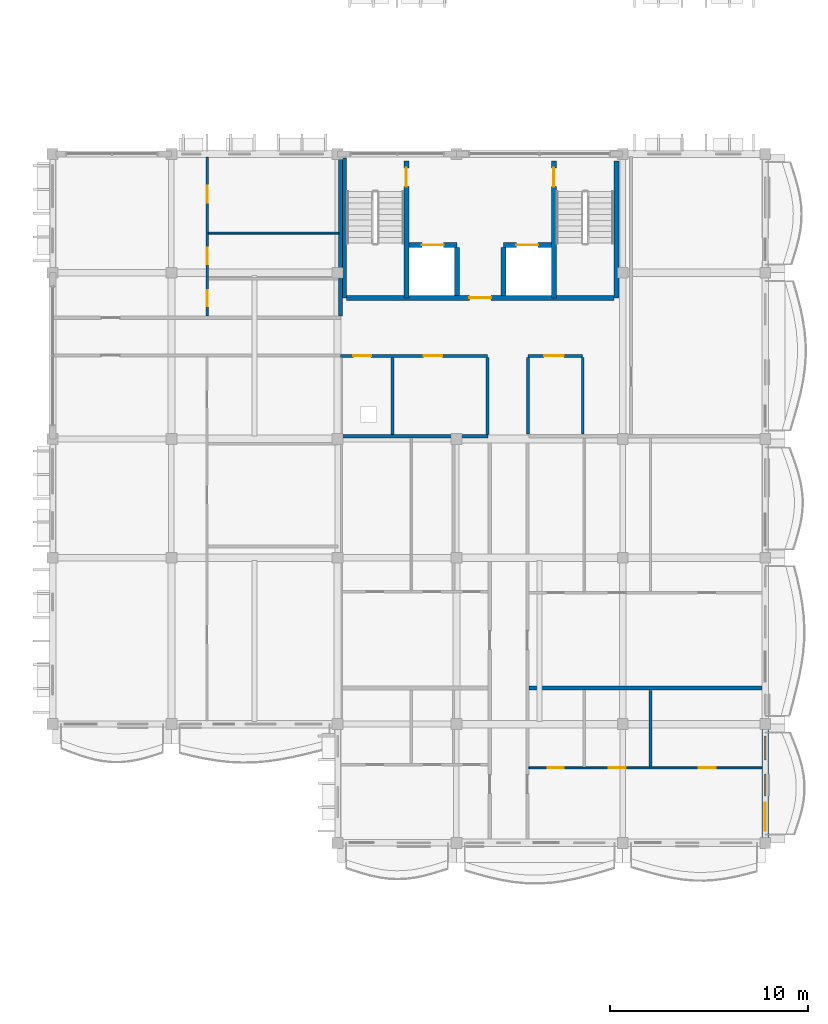
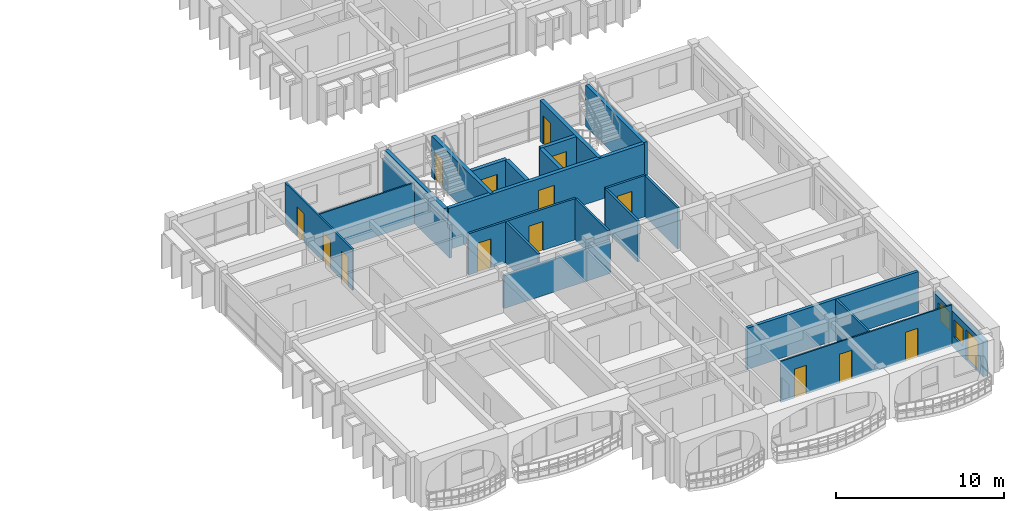
# One storey, part 43 of 79: 23 walls, 15 doors, 2 windows, 17 openings.
"""IFC4 building model written with IfcOpenShell, lengths in metres."""

from ifc_helpers import new_model, si_unit, direction, frame, frame_2d, origin, place, context, subcontext, project, spatial, rectangle, extrude, material, layer, layer_set, type_object, element, fill, save


model = new_model("IFC4")

# Units and contexts
model_context = context("Model", 3, precision=1e-05, world=origin(), true_north=direction((0.0, 1.0)))
body_context = subcontext(model_context, "Body", "Model", "MODEL_VIEW")
ifc_project = project(units=[si_unit("LENGTHUNIT", "METRE"), si_unit("AREAUNIT", "SQUARE_METRE"), si_unit("VOLUMEUNIT", "CUBIC_METRE"), si_unit("PLANEANGLEUNIT", "RADIAN"), si_unit("MASSUNIT", "GRAM", prefix="KILO"), si_unit("THERMODYNAMICTEMPERATUREUNIT", "KELVIN")], contexts=[model_context])

# Site, building, storey
site_placement = place(None, origin())
site = spatial("IfcSite", under=ifc_project, at=site_placement, CompositionType="ELEMENT")
building_placement = place(site_placement, origin())
building = spatial("IfcBuilding", under=site, at=building_placement, Name="Thalorik Housing Commons", CompositionType="ELEMENT")
storey_placement = place(building_placement, frame((0.0, 0.0, 11.39990234375)))
storey = spatial("IfcBuildingStorey", under=building, at=storey_placement, Name="L03", CompositionType="ELEMENT", Elevation=11.39990234375)

# Wall, opening, door
ifc_material_1 = material(Name="Concrete C40/50", Category="concrete")
ifc_layer_1 = layer(ifc_material_1, 0.25, Name="Concrete C40/50", Category="concrete")
ifc_layer_set_1 = layer_set([ifc_layer_1], Name="Concrete C40/50")
wall_type_1 = type_object("IfcWallType", Name="ARC-WAL-CORE-250", PredefinedType="SHEAR", material=ifc_layer_set_1)
wall_1_placement = place(storey_placement, frame((155.875, 71.64990234375, 0.0), z_axis=(0.0, 0.0, 1.0), x_axis=(0.0, -1.0, 0.0)))
wall_1 = element("IfcWall", 1, at=wall_1_placement, inside=storey, type_object=wall_type_1, Name="L03 Core D Stair 1 Shear Wall", PredefinedType="SHEAR", context=body_context, shape_type="SweptSolid", body=[
    extrude(rectangle(XDim=6.9248046875, YDim=0.25, at=frame_2d((3.46240234375, 0.0))), origin(), (0.0, 0.0, 1.0), 3.0),
])
opening_1_placement = place(wall_1_placement, frame((0.35009765625, 0.0, 0.0)))
opening_1 = element("IfcOpeningElement", 2, at=opening_1_placement, cuts=wall_1, Name="Opening ID-0377", PredefinedType="OPENING", context=body_context, shape_type="SweptSolid", body=[
    extrude(rectangle(XDim=0.949951171875, YDim=2.10009765625, at=frame_2d((0.47509765625, 1.050048828125))), frame((0.0, 0.135009765625, 0.0), z_axis=(0.0, -1.0, 0.0), x_axis=(1.0, 0.0, 0.0)), (0.0, 0.0, 1.0), 0.27001953125),
])
ifc_material_2 = material(Name="Steel S355", Category="steel")
door_type_1 = type_object("IfcDoorType", Name="ARC-DR-FD60-950", OperationType="NOTDEFINED", PredefinedType="DOOR", material=ifc_material_2)
door_1_placement = place(opening_1_placement, origin())
door_1 = element("IfcDoor", 3, at=door_1_placement, inside=storey, type_object=door_type_1, Name="L03 Stair ST-D1 Fire Door", OperationType="SINGLE_SWING_RIGHT", OverallHeight=2.10009765625, OverallWidth=0.949951171875, PredefinedType="DOOR", context=body_context, shape_type="SweptSolid", body=[
    extrude(rectangle(XDim=0.949951171875, YDim=2.10009765625, at=frame_2d((0.47509765625, 1.050048828125))), frame((0.0, 0.02490234375, 0.0), z_axis=(0.0, -1.0, 0.0), x_axis=(1.0, 0.0, 0.0)), (0.0, 0.0, 1.0), 0.050048828125),
])
fill(opening_1, door_1)

# Walls
wall_2_placement = place(storey_placement, frame((152.72509765625, 71.800048828125, 0.0), z_axis=(0.0, 0.0, 1.0), x_axis=(0.0, -1.0, 0.0)))
element("IfcWall", 4, at=wall_2_placement, inside=storey, type_object=wall_type_1, Name="L03 Core D Stair 1 Outer Shear Wall", PredefinedType="SHEAR", context=body_context, shape_type="SweptSolid", body=[
    extrude(rectangle(XDim=7.074951171875, YDim=0.25, at=frame_2d((3.53759765625, 0.0))), origin(), (0.0, 0.0, 1.0), 3.0),
])
wall_3_placement = place(storey_placement, frame((166.47509765625, 71.64990234375, 0.0), z_axis=(0.0, 0.0, 1.0), x_axis=(0.0, -1.0, 0.0)))
element("IfcWall", 5, at=wall_3_placement, inside=storey, type_object=wall_type_1, Name="L03 Core D Stair 2 Outer Shear Wall", PredefinedType="SHEAR", context=body_context, shape_type="SweptSolid", body=[
    extrude(rectangle(XDim=6.9248046875, YDim=0.25, at=frame_2d((3.46240234375, 0.0))), origin(), (0.0, 0.0, 1.0), 3.0),
])

# Wall, opening, door
wall_4_placement = place(storey_placement, frame((163.324951171875, 71.64990234375, 0.0), z_axis=(0.0, 0.0, 1.0), x_axis=(0.0, -1.0, 0.0)))
wall_4 = element("IfcWall", 6, at=wall_4_placement, inside=storey, type_object=wall_type_1, Name="L03 Core D Stair 2 Shear Wall", PredefinedType="SHEAR", context=body_context, shape_type="SweptSolid", body=[
    extrude(rectangle(XDim=6.9248046875, YDim=0.25, at=frame_2d((3.46240234375, 0.0))), origin(), (0.0, 0.0, 1.0), 3.0),
])
opening_2_placement = place(wall_4_placement, frame((0.35009765625, 0.0, 0.0)))
opening_2 = element("IfcOpeningElement", 7, at=opening_2_placement, cuts=wall_4, Name="Opening ID-0378", PredefinedType="OPENING", context=body_context, shape_type="SweptSolid", body=[
    extrude(rectangle(XDim=0.949951171875, YDim=2.10009765625, at=frame_2d((0.47509765625, 1.050048828125))), frame((0.0, 0.135009765625, 0.0), z_axis=(0.0, -1.0, 0.0), x_axis=(1.0, 0.0, 0.0)), (0.0, 0.0, 1.0), 0.27001953125),
])
door_2_placement = place(opening_2_placement, origin())
door_2 = element("IfcDoor", 8, at=door_2_placement, inside=storey, type_object=door_type_1, Name="L03 Stair ST-D2 Fire Door", OperationType="SINGLE_SWING_LEFT", OverallHeight=2.10009765625, OverallWidth=0.949951171875, PredefinedType="DOOR", context=body_context, shape_type="SweptSolid", body=[
    extrude(rectangle(XDim=0.949951171875, YDim=2.10009765625, at=frame_2d((0.47509765625, 1.050048828125))), frame((0.0, 0.02490234375, 0.0), z_axis=(0.0, -1.0, 0.0), x_axis=(1.0, 0.0, 0.0)), (0.0, 0.0, 1.0), 0.050048828125),
])
fill(opening_2, door_2)

wall_5_placement = place(storey_placement, frame((156.0, 67.39990234375, 0.0), z_axis=(0.0, 0.0, 1.0), x_axis=(1.0, 0.0, 0.0)))
wall_5 = element("IfcWall", 9, at=wall_5_placement, inside=storey, type_object=wall_type_1, Name="L03 Lift LP-D1 Front Shaft Wall", PredefinedType="SHEAR", context=body_context, shape_type="SweptSolid", body=[
    extrude(rectangle(XDim=2.425048828125, YDim=0.25, at=frame_2d((1.21240234375, 0.0))), origin(), (0.0, 0.0, 1.0), 3.0),
])
opening_3_placement = place(wall_5_placement, frame((0.64990234375, 0.0, 0.0)))
opening_3 = element("IfcOpeningElement", 10, at=opening_3_placement, cuts=wall_5, Name="Opening LD-LP-D1-L03", PredefinedType="OPENING", context=body_context, shape_type="SweptSolid", body=[
    extrude(rectangle(XDim=1.10009765625, YDim=2.14990234375, at=frame_2d((0.550048828125, 1.074951171875))), frame((0.0, 0.135009765625, 0.0), z_axis=(0.0, -1.0, 0.0), x_axis=(1.0, 0.0, 0.0)), (0.0, 0.0, 1.0), 0.27001953125),
])
door_type_2 = type_object("IfcDoorType", Name="ARC-DR-LIFT-1100", OperationType="NOTDEFINED", PredefinedType="DOOR", material=ifc_material_2)
door_3_placement = place(opening_3_placement, origin())
door_3 = element("IfcDoor", 11, at=door_3_placement, inside=storey, type_object=door_type_2, Name="L03 Lift LP-D1 Landing Door", OperationType="SLIDING_TO_LEFT", OverallHeight=2.14990234375, OverallWidth=1.10009765625, PredefinedType="DOOR", context=body_context, shape_type="SweptSolid", body=[
    extrude(rectangle(XDim=1.10009765625, YDim=2.14990234375, at=frame_2d((0.550048828125, 1.074951171875))), frame((0.0, 0.02490234375, 0.0), z_axis=(0.0, -1.0, 0.0), x_axis=(1.0, 0.0, 0.0)), (0.0, 0.0, 1.0), 0.050048828125),
])
fill(opening_3, door_3)

wall_6_placement = place(storey_placement, frame((160.77490234375, 67.39990234375, 0.0), z_axis=(0.0, 0.0, 1.0), x_axis=(1.0, 0.0, 0.0)))
wall_6 = element("IfcWall", 12, at=wall_6_placement, inside=storey, type_object=wall_type_1, Name="L03 Lift LP-D2 Front Shaft Wall", PredefinedType="SHEAR", context=body_context, shape_type="SweptSolid", body=[
    extrude(rectangle(XDim=2.425048828125, YDim=0.25, at=frame_2d((1.21240234375, 0.0))), origin(), (0.0, 0.0, 1.0), 3.0),
])
opening_4_placement = place(wall_6_placement, frame((0.64990234375, 0.0, 0.0)))
opening_4 = element("IfcOpeningElement", 13, at=opening_4_placement, cuts=wall_6, Name="Opening LD-LP-D2-L03", PredefinedType="OPENING", context=body_context, shape_type="SweptSolid", body=[
    extrude(rectangle(XDim=1.10009765625, YDim=2.14990234375, at=frame_2d((0.550048828125, 1.074951171875))), frame((0.0, 0.135009765625, 0.0), z_axis=(0.0, -1.0, 0.0), x_axis=(1.0, 0.0, 0.0)), (0.0, 0.0, 1.0), 0.27001953125),
])
door_4_placement = place(opening_4_placement, origin())
door_4 = element("IfcDoor", 14, at=door_4_placement, inside=storey, type_object=door_type_2, Name="L03 Lift LP-D2 Landing Door", OperationType="SLIDING_TO_LEFT", OverallHeight=2.14990234375, OverallWidth=1.10009765625, PredefinedType="DOOR", context=body_context, shape_type="SweptSolid", body=[
    extrude(rectangle(XDim=1.10009765625, YDim=2.14990234375, at=frame_2d((0.550048828125, 1.074951171875))), frame((0.0, 0.02490234375, 0.0), z_axis=(0.0, -1.0, 0.0), x_axis=(1.0, 0.0, 0.0)), (0.0, 0.0, 1.0), 0.050048828125),
])
fill(opening_4, door_4)

# Walls
for number, where, z_axis, x_axis, name in (
    (15, (158.425048828125, 67.27490234375, 0.0), (0.0, 0.0, 1.0), (0.0, -1.0, 0.0), "L03 Lift 1 Cheek Wall"),
    (16, (160.77490234375, 67.27490234375, 0.0), (0.0, 0.0, 1.0), (0.0, -1.0, 0.0), "L03 Lift 2 Cheek Wall"),
):
    element("IfcWall", number, at=place(storey_placement, frame(where, z_axis=z_axis, x_axis=x_axis)), inside=storey, type_object=wall_type_1, Name=name, PredefinedType="SHEAR", context=body_context, shape_type="SweptSolid", body=[
        extrude(rectangle(XDim=2.4248046875, YDim=0.25, at=frame_2d((1.21240234375, 0.0))), origin(), (0.0, 0.0, 1.0), 3.0),
    ])

# Wall, opening, door
wall_7_placement = place(storey_placement, frame((152.85009765625, 64.72509765625, 0.0), z_axis=(0.0, 0.0, 1.0), x_axis=(1.0, 0.0, 0.0)))
wall_7 = element("IfcWall", 17, at=wall_7_placement, inside=storey, type_object=wall_type_1, Name="L03 Core D Spine Shear Wall", PredefinedType="SHEAR", context=body_context, shape_type="SweptSolid", body=[
    extrude(rectangle(XDim=13.5, YDim=0.25, at=frame_2d((6.75, 0.0))), origin(), (0.0, 0.0, 1.0), 3.0),
])
opening_5_placement = place(wall_7_placement, frame((6.199951171875, 0.0, 0.0)))
opening_5 = element("IfcOpeningElement", 18, at=opening_5_placement, cuts=wall_7, Name="Opening ID-0381", PredefinedType="OPENING", context=body_context, shape_type="SweptSolid", body=[
    extrude(rectangle(XDim=1.10009765625, YDim=2.14990234375, at=frame_2d((0.550048828125, 1.074951171875))), frame((0.0, 0.135009765625, 0.0), z_axis=(0.0, -1.0, 0.0), x_axis=(1.0, 0.0, 0.0)), (0.0, 0.0, 1.0), 0.27001953125),
])
door_type_3 = type_object("IfcDoorType", Name="ARC-DR-FD60-1100", OperationType="NOTDEFINED", PredefinedType="DOOR", material=ifc_material_2)
door_5_placement = place(opening_5_placement, origin())
door_5 = element("IfcDoor", 19, at=door_5_placement, inside=storey, type_object=door_type_3, Name="L03 Core D Lobby Fire Door", OperationType="SINGLE_SWING_RIGHT", OverallHeight=2.14990234375, OverallWidth=1.10009765625, PredefinedType="DOOR", context=body_context, shape_type="SweptSolid", body=[
    extrude(rectangle(XDim=1.10009765625, YDim=2.14990234375, at=frame_2d((0.550048828125, 1.074951171875))), frame((0.0, 0.02490234375, 0.0), z_axis=(0.0, -1.0, 0.0), x_axis=(1.0, 0.0, 0.0)), (0.0, 0.0, 1.0), 0.050048828125),
])
fill(opening_5, door_5)

# Wall, openings, door, windows
ifc_material_3 = material(Name="White precast concrete C40/50", Category="concrete")
ifc_layer_2 = layer(ifc_material_3, 0.320068359375, Name="White precast concrete C40/50", Category="concrete")
ifc_layer_set_2 = layer_set([ifc_layer_2], Name="White precast concrete C40/50")
wall_type_2 = type_object("IfcWallType", Name="ARC-WAL-EXT-320", PredefinedType="STANDARD", material=ifc_layer_set_2)
wall_8_placement = place(storey_placement, frame((174.0, 37.199951171875, 0.0), z_axis=(0.0, 0.0, 1.0), x_axis=(0.0, 1.0, 0.0)))
wall_8 = element("IfcWall", 20, at=wall_8_placement, inside=storey, type_object=wall_type_2, Name="L03 Exterior Wall WAL-EXT-L03-D-1177", PredefinedType="STANDARD", context=body_context, shape_type="SweptSolid", body=[
    extrude(rectangle(XDim=6.0, YDim=0.320068359375, at=frame_2d((3.0, 0.0))), origin(), (0.0, 0.0, 1.0), 2.5751953125),
])
opening_6_placement = place(wall_8_placement, frame((0.6201171875, 0.0, 0.0)))
opening_6 = element("IfcOpeningElement", 21, at=opening_6_placement, cuts=wall_8, Name="Opening ED-0391", PredefinedType="OPENING", context=body_context, shape_type="SweptSolid", body=[
    extrude(rectangle(XDim=1.39990234375, YDim=2.199951171875, at=frame_2d((0.699951171875, 1.10009765625))), frame((0.0, 0.169921875, 0.0), z_axis=(0.0, -1.0, 0.0), x_axis=(1.0, 0.0, 0.0)), (0.0, 0.0, 1.0), 0.340087890625),
])
opening_7_placement = place(wall_8_placement, frame((2.37744140625, 0.0, 0.780029296875)))
opening_7 = element("IfcOpeningElement", 22, at=opening_7_placement, cuts=wall_8, Name="Opening W-03", PredefinedType="OPENING", context=body_context, shape_type="SweptSolid", body=[
    extrude(rectangle(XDim=1.10009765625, YDim=1.300048828125, at=frame_2d((0.550048828125, 0.64990234375))), frame((0.0, 0.169921875, 0.0), z_axis=(0.0, -1.0, 0.0), x_axis=(1.0, 0.0, 0.0)), (0.0, 0.0, 1.0), 0.340087890625),
])
opening_8_placement = place(wall_8_placement, frame((4.197509765625, 0.0, 0.780029296875)))
opening_8 = element("IfcOpeningElement", 23, at=opening_8_placement, cuts=wall_8, Name="Opening W-04", PredefinedType="OPENING", context=body_context, shape_type="SweptSolid", body=[
    extrude(rectangle(XDim=1.199951171875, YDim=1.35009765625, at=frame_2d((0.60009765625, 0.675048828125))), frame((0.0, 0.169921875, 0.0), z_axis=(0.0, -1.0, 0.0), x_axis=(1.0, 0.0, 0.0)), (0.0, 0.0, 1.0), 0.340087890625),
])
ifc_material_4 = material(Name="Anodised aluminium and laminated safety glass", Category="aluminium")
door_type_4 = type_object("IfcDoorType", Name="ARC-DR-BAL-1400", OperationType="NOTDEFINED", PredefinedType="DOOR", material=ifc_material_4)
door_6_placement = place(opening_6_placement, frame((1.39990234375, 0.0, 0.0), z_axis=(0.0, 0.0, 1.0), x_axis=(-1.0, 0.0, 0.0)))
door_6 = element("IfcDoor", 24, at=door_6_placement, inside=storey, type_object=door_type_4, Name="L03 Block D Balcony Glazed Door", OperationType="SLIDING_TO_LEFT", OverallHeight=2.199951171875, OverallWidth=1.39990234375, PredefinedType="DOOR", context=body_context, shape_type="SweptSolid", body=[
    extrude(rectangle(XDim=1.39990234375, YDim=2.199951171875, at=frame_2d((0.699951171875, 1.10009765625))), frame((0.0, 0.02490234375, 0.0), z_axis=(0.0, -1.0, 0.0), x_axis=(1.0, 0.0, 0.0)), (0.0, 0.0, 1.0), 0.050048828125),
])
fill(opening_6, door_6)
ifc_material_5 = material(Name="Anodised aluminium and solar-control low-E glass", Category="aluminium")
window_type_1 = type_object("IfcWindowType", Name="ARC-WIN-03", PartitioningType="SINGLE_PANEL", PredefinedType="WINDOW", material=ifc_material_5)
window_1_placement = place(opening_7_placement, origin())
window_1 = element("IfcWindow", 25, at=window_1_placement, inside=storey, type_object=window_type_1, Name="L03 Facade Window 2154", OverallHeight=1.300048828125, OverallWidth=1.10009765625, PartitioningType="SINGLE_PANEL", PredefinedType="WINDOW", context=body_context, shape_type="SweptSolid", body=[
    extrude(rectangle(XDim=1.10009765625, YDim=1.300048828125, at=frame_2d((0.550048828125, 0.64990234375))), frame((0.0, 0.030029296875, 0.0), z_axis=(0.0, -1.0, 0.0), x_axis=(1.0, 0.0, 0.0)), (0.0, 0.0, 1.0), 0.06005859375),
])
fill(opening_7, window_1)
window_type_2 = type_object("IfcWindowType", Name="ARC-WIN-04", PartitioningType="SINGLE_PANEL", PredefinedType="WINDOW", material=ifc_material_5)
window_2_placement = place(opening_8_placement, origin())
window_2 = element("IfcWindow", 26, at=window_2_placement, inside=storey, type_object=window_type_2, Name="L03 Facade Window 2155", OverallHeight=1.35009765625, OverallWidth=1.199951171875, PartitioningType="SINGLE_PANEL", PredefinedType="WINDOW", context=body_context, shape_type="SweptSolid", body=[
    extrude(rectangle(XDim=1.199951171875, YDim=1.35009765625, at=frame_2d((0.60009765625, 0.675048828125))), frame((0.0, 0.030029296875, 0.0), z_axis=(0.0, -1.0, 0.0), x_axis=(1.0, 0.0, 0.0)), (0.0, 0.0, 1.0), 0.06005859375),
])
fill(opening_8, window_2)

# Wall, openings, doors
ifc_material_6 = material(Name="Gypsum light stud partition", Category="masonry")
ifc_layer_3 = layer(ifc_material_6, 0.10009765625, Name="Gypsum light stud partition", Category="masonry")
ifc_layer_set_3 = layer_set([ifc_layer_3], Name="Gypsum light stud partition")
wall_type_3 = type_object("IfcWallType", Name="ARC-WAL-PART-100", PredefinedType="PARTITIONING", material=ifc_layer_set_3)
wall_9_placement = place(storey_placement, frame((162.056884765625, 40.98486328125, 0.0), z_axis=(0.0, 0.0, 1.0), x_axis=(1.0, 0.0, 0.0)))
wall_9 = element("IfcWall", 27, at=wall_9_placement, inside=storey, type_object=wall_type_3, Name="L03 Unit 1B Spine Partition", PredefinedType="PARTITIONING", context=body_context, shape_type="SweptSolid", body=[
    extrude(rectangle(XDim=11.781005859375, YDim=0.10009765625, at=frame_2d((5.890625, 0.0))), origin(), (0.0, 0.0, 1.0), 3.0),
])
opening_9_placement = place(wall_9_placement, frame((0.958251953125, 0.0, 0.0)))
opening_9 = element("IfcOpeningElement", 28, at=opening_9_placement, cuts=wall_9, Name="Opening ID-2028", PredefinedType="OPENING", context=body_context, shape_type="SweptSolid", body=[
    extrude(rectangle(XDim=0.800048828125, YDim=2.10009765625, at=frame_2d((0.39990234375, 1.050048828125))), frame((0.0, 0.06005859375, 0.0), z_axis=(0.0, -1.0, 0.0), x_axis=(1.0, 0.0, 0.0)), (0.0, 0.0, 1.0), 0.1201171875),
])
opening_10_placement = place(wall_9_placement, frame((4.042724609375, 0.0, 0.0)))
opening_10 = element("IfcOpeningElement", 29, at=opening_10_placement, cuts=wall_9, Name="Opening ID-2029", PredefinedType="OPENING", context=body_context, shape_type="SweptSolid", body=[
    extrude(rectangle(XDim=0.85009765625, YDim=2.10009765625, at=frame_2d((0.425048828125, 1.050048828125))), frame((0.0, 0.06005859375, 0.0), z_axis=(0.0, -1.0, 0.0), x_axis=(1.0, 0.0, 0.0)), (0.0, 0.0, 1.0), 0.1201171875),
])
opening_11_placement = place(wall_9_placement, frame((8.587646484375, 0.0, 0.0)))
opening_11 = element("IfcOpeningElement", 30, at=opening_11_placement, cuts=wall_9, Name="Opening ID-2030", PredefinedType="OPENING", context=body_context, shape_type="SweptSolid", body=[
    extrude(rectangle(XDim=0.85009765625, YDim=2.10009765625, at=frame_2d((0.425048828125, 1.050048828125))), frame((0.0, 0.06005859375, 0.0), z_axis=(0.0, -1.0, 0.0), x_axis=(1.0, 0.0, 0.0)), (0.0, 0.0, 1.0), 0.1201171875),
])
ifc_material_7 = material(Name="Moisture-resistant timber", Category="wood")
door_type_5 = type_object("IfcDoorType", Name="ARC-DR-INT-800", OperationType="NOTDEFINED", PredefinedType="DOOR", material=ifc_material_7)
door_7_placement = place(opening_9_placement, origin())
door_7 = element("IfcDoor", 31, at=door_7_placement, inside=storey, type_object=door_type_5, Name="L03 Flat Bathroom Door", OperationType="SINGLE_SWING_LEFT", OverallHeight=2.10009765625, OverallWidth=0.800048828125, PredefinedType="DOOR", context=body_context, shape_type="SweptSolid", body=[
    extrude(rectangle(XDim=0.800048828125, YDim=2.10009765625, at=frame_2d((0.39990234375, 1.050048828125))), frame((0.0, 0.02490234375, 0.0), z_axis=(0.0, -1.0, 0.0), x_axis=(1.0, 0.0, 0.0)), (0.0, 0.0, 1.0), 0.050048828125),
])
fill(opening_9, door_7)
ifc_material_8 = material(Name="Engineered oak timber", Category="wood")
door_type_6 = type_object("IfcDoorType", Name="ARC-DR-INT-850", OperationType="NOTDEFINED", PredefinedType="DOOR", material=ifc_material_8)
door_8_placement = place(opening_10_placement, origin())
door_8 = element("IfcDoor", 32, at=door_8_placement, inside=storey, type_object=door_type_6, Name="L03 Galley Kitchen Door", OperationType="SINGLE_SWING_RIGHT", OverallHeight=2.10009765625, OverallWidth=0.85009765625, PredefinedType="DOOR", context=body_context, shape_type="SweptSolid", body=[
    extrude(rectangle(XDim=0.85009765625, YDim=2.10009765625, at=frame_2d((0.425048828125, 1.050048828125))), frame((0.0, 0.02490234375, 0.0), z_axis=(0.0, -1.0, 0.0), x_axis=(1.0, 0.0, 0.0)), (0.0, 0.0, 1.0), 0.050048828125),
])
fill(opening_10, door_8)
door_9_placement = place(opening_11_placement, origin())
door_9 = element("IfcDoor", 33, at=door_9_placement, inside=storey, type_object=door_type_6, Name="L03 Single Bedroom Door", OperationType="SINGLE_SWING_LEFT", OverallHeight=2.10009765625, OverallWidth=0.85009765625, PredefinedType="DOOR", context=body_context, shape_type="SweptSolid", body=[
    extrude(rectangle(XDim=0.85009765625, YDim=2.10009765625, at=frame_2d((0.425048828125, 1.050048828125))), frame((0.0, 0.02490234375, 0.0), z_axis=(0.0, -1.0, 0.0), x_axis=(1.0, 0.0, 0.0)), (0.0, 0.0, 1.0), 0.050048828125),
])
fill(opening_11, door_9)

# Wall
wall_10_placement = place(storey_placement, frame((145.869873046875, 67.994384765625, 0.0), z_axis=(0.0, 0.0, 1.0), x_axis=(1.0, 0.0, 0.0)))
element("IfcWall", 34, at=wall_10_placement, inside=storey, type_object=wall_type_3, Name="L03 Unit 1B Bedroom Partition", PredefinedType="PARTITIONING", context=body_context, shape_type="SweptSolid", body=[
    extrude(rectangle(XDim=6.57568359375, YDim=0.10009765625, at=frame_2d((3.287841796875, 0.0))), origin(), (0.0, 0.0, 1.0), 3.0),
])

# Wall, openings, doors
ifc_material_9 = material(Name="Gypsum moisture-resistant partition", Category="masonry")
ifc_layer_4 = layer(ifc_material_9, 0.114990234375, Name="Gypsum moisture-resistant partition", Category="masonry")
ifc_layer_set_4 = layer_set([ifc_layer_4], Name="Gypsum moisture-resistant partition")
wall_type_4 = type_object("IfcWallType", Name="ARC-WAL-PART-115", PredefinedType="PARTITIONING", material=ifc_layer_set_4)
wall_11_placement = place(storey_placement, frame((145.810302734375, 63.804443359375, 0.0), z_axis=(0.0, 0.0, 1.0), x_axis=(0.0, 1.0, 0.0)))
wall_11 = element("IfcWall", 35, at=wall_11_placement, inside=storey, type_object=wall_type_4, Name="L03 Unit 1B Spine Partition", PredefinedType="PARTITIONING", context=body_context, shape_type="SweptSolid", body=[
    extrude(rectangle(XDim=8.033447265625, YDim=0.114990234375, at=frame_2d((4.0166015625, 0.0))), origin(), (0.0, 0.0, 1.0), 3.0),
])
opening_12_placement = place(wall_11_placement, frame((0.501953125, 0.0, 0.0)))
opening_12 = element("IfcOpeningElement", 36, at=opening_12_placement, cuts=wall_11, Name="Opening ID-2045", PredefinedType="OPENING", context=body_context, shape_type="SweptSolid", body=[
    extrude(rectangle(XDim=0.800048828125, YDim=2.10009765625, at=frame_2d((0.39990234375, 1.050048828125))), frame((0.0, 0.0673828125, 0.0), z_axis=(0.0, -1.0, 0.0), x_axis=(1.0, 0.0, 0.0)), (0.0, 0.0, 1.0), 0.135009765625),
])
opening_13_placement = place(wall_11_placement, frame((2.614013671875, 0.0, 0.0)))
opening_13 = element("IfcOpeningElement", 37, at=opening_13_placement, cuts=wall_11, Name="Opening ID-2046", PredefinedType="OPENING", context=body_context, shape_type="SweptSolid", body=[
    extrude(rectangle(XDim=0.85009765625, YDim=2.10009765625, at=frame_2d((0.425048828125, 1.050048828125))), frame((0.0, 0.0673828125, 0.0), z_axis=(0.0, -1.0, 0.0), x_axis=(1.0, 0.0, 0.0)), (0.0, 0.0, 1.0), 0.135009765625),
])
opening_14_placement = place(wall_11_placement, frame((5.73779296875, 0.0, 0.0)))
opening_14 = element("IfcOpeningElement", 38, at=opening_14_placement, cuts=wall_11, Name="Opening ID-2047", PredefinedType="OPENING", context=body_context, shape_type="SweptSolid", body=[
    extrude(rectangle(XDim=0.85009765625, YDim=2.10009765625, at=frame_2d((0.425048828125, 1.050048828125))), frame((0.0, 0.0673828125, 0.0), z_axis=(0.0, -1.0, 0.0), x_axis=(1.0, 0.0, 0.0)), (0.0, 0.0, 1.0), 0.135009765625),
])
door_10_placement = place(opening_12_placement, origin())
door_10 = element("IfcDoor", 39, at=door_10_placement, inside=storey, type_object=door_type_5, Name="L03 Flat Bathroom Door", OperationType="SINGLE_SWING_RIGHT", OverallHeight=2.10009765625, OverallWidth=0.800048828125, PredefinedType="DOOR", context=body_context, shape_type="SweptSolid", body=[
    extrude(rectangle(XDim=0.800048828125, YDim=2.10009765625, at=frame_2d((0.39990234375, 1.050048828125))), frame((0.0, 0.02490234375, 0.0), z_axis=(0.0, -1.0, 0.0), x_axis=(1.0, 0.0, 0.0)), (0.0, 0.0, 1.0), 0.050048828125),
])
fill(opening_12, door_10)
door_11_placement = place(opening_13_placement, origin())
door_11 = element("IfcDoor", 40, at=door_11_placement, inside=storey, type_object=door_type_6, Name="L03 Galley Kitchen Door", OperationType="SINGLE_SWING_LEFT", OverallHeight=2.10009765625, OverallWidth=0.85009765625, PredefinedType="DOOR", context=body_context, shape_type="SweptSolid", body=[
    extrude(rectangle(XDim=0.85009765625, YDim=2.10009765625, at=frame_2d((0.425048828125, 1.050048828125))), frame((0.0, 0.02490234375, 0.0), z_axis=(0.0, -1.0, 0.0), x_axis=(1.0, 0.0, 0.0)), (0.0, 0.0, 1.0), 0.050048828125),
])
fill(opening_13, door_11)
door_12_placement = place(opening_14_placement, origin())
door_12 = element("IfcDoor", 41, at=door_12_placement, inside=storey, type_object=door_type_6, Name="L03 Single Bedroom Door", OperationType="SINGLE_SWING_RIGHT", OverallHeight=2.10009765625, OverallWidth=0.85009765625, PredefinedType="DOOR", context=body_context, shape_type="SweptSolid", body=[
    extrude(rectangle(XDim=0.85009765625, YDim=2.10009765625, at=frame_2d((0.425048828125, 1.050048828125))), frame((0.0, 0.02490234375, 0.0), z_axis=(0.0, -1.0, 0.0), x_axis=(1.0, 0.0, 0.0)), (0.0, 0.0, 1.0), 0.050048828125),
])
fill(opening_14, door_12)

# Walls
ifc_material_10 = material(Name="Ceramic masonry partition wall", Category="masonry")
ifc_layer_5 = layer(ifc_material_10, 0.139892578125, Name="Ceramic masonry partition wall", Category="masonry")
ifc_layer_set_5 = layer_set([ifc_layer_5], Name="Ceramic masonry partition wall")
wall_type_5 = type_object("IfcWallType", Name="ARC-WAL-PART-140", PredefinedType="PARTITIONING", material=ifc_layer_set_5)
wall_12_placement = place(storey_placement, frame((168.19921875, 41.036865234375, 0.0), z_axis=(0.0, 0.0, 1.0), x_axis=(0.0, 1.0, 0.0)))
element("IfcWall", 42, at=wall_12_placement, inside=storey, type_object=wall_type_5, Name="L03 Unit 1B Bedroom Partition", PredefinedType="PARTITIONING", context=body_context, shape_type="SweptSolid", body=[
    extrude(rectangle(XDim=3.87109375, YDim=0.139892578125, at=frame_2d((1.935546875, 0.0))), origin(), (0.0, 0.0, 1.0), 3.0),
])
ifc_layer_6 = layer(ifc_material_10, 0.14794921875, Name="Ceramic masonry partition wall", Category="masonry")
ifc_layer_set_6 = layer_set([ifc_layer_6], Name="Ceramic masonry partition wall")
wall_type_6 = type_object("IfcWallType", Name="ARC-WAL-PART-150", PredefinedType="PARTITIONING", material=ifc_layer_set_6)
for number, where, z_axis, x_axis, name in (
    (43, (155.175048828125, 61.72412109375, 0.0), (0.0, 0.0, 1.0), (0.0, -1.0, 0.0), "Riser Wall"),
    (44, (159.97509765625, 61.72412109375, 0.0), (0.0, 0.0, 1.0), (0.0, -1.0, 0.0), "Core Stem West Cheek Wall"),
):
    element("IfcWall", number, at=place(storey_placement, frame(where, z_axis=z_axis, x_axis=x_axis)), inside=storey, type_object=wall_type_6, Name=name, PredefinedType="PARTITIONING", context=body_context, shape_type="SweptSolid", body=[
        extrude(rectangle(XDim=3.8896484375, YDim=0.14794921875, at=frame_2d((1.94482421875, 0.0))), origin(), (0.0, 0.0, 1.0), 3.0),
    ])
for number, where, z_axis, x_axis, name in (
    (45, (162.02490234375, 61.72412109375, 0.0), (0.0, 0.0, 1.0), (0.0, -1.0, 0.0), "Core Stem East Cheek Wall"),
    (46, (164.780029296875, 61.72412109375, 0.0), (0.0, 0.0, 1.0), (0.0, -1.0, 0.0), "Core East Enclosing Wall"),
):
    element("IfcWall", number, at=place(storey_placement, frame(where, z_axis=z_axis, x_axis=x_axis)), inside=storey, type_object=wall_type_6, Name=name, PredefinedType="PARTITIONING", context=body_context, shape_type="SweptSolid", body=[
        extrude(rectangle(XDim=3.882080078125, YDim=0.14794921875, at=frame_2d((1.94091796875, 0.0))), origin(), (0.0, 0.0, 1.0), 3.0),
    ])

# Wall, openings, doors
wall_13_placement = place(storey_placement, frame((152.5400390625, 61.800048828125, 0.0), z_axis=(0.0, 0.0, 1.0), x_axis=(1.0, 0.0, 0.0)))
wall_13 = element("IfcWall", 47, at=wall_13_placement, inside=storey, type_object=wall_type_6, Name="L03 Core D West Corridor Partition", PredefinedType="PARTITIONING", context=body_context, shape_type="SweptSolid", body=[
    extrude(rectangle(XDim=7.43505859375, YDim=0.14794921875, at=frame_2d((3.717529296875, 0.0))), origin(), (0.0, 0.0, 1.0), 3.0),
])
opening_15_placement = place(wall_13_placement, frame((0.64990234375, 0.0, 0.0)))
opening_15 = element("IfcOpeningElement", 48, at=opening_15_placement, cuts=wall_13, Name="Opening ID-0382", PredefinedType="OPENING", context=body_context, shape_type="SweptSolid", body=[
    extrude(rectangle(XDim=0.89990234375, YDim=2.10009765625, at=frame_2d((0.449951171875, 1.050048828125))), frame((0.0, 0.083984375, 0.0), z_axis=(0.0, -1.0, 0.0), x_axis=(1.0, 0.0, 0.0)), (0.0, 0.0, 1.0), 0.16796875),
])
opening_16_placement = place(wall_13_placement, frame((4.199951171875, 0.0, 0.0)))
opening_16 = element("IfcOpeningElement", 49, at=opening_16_placement, cuts=wall_13, Name="Opening ID-0383", PredefinedType="OPENING", context=body_context, shape_type="SweptSolid", body=[
    extrude(rectangle(XDim=0.949951171875, YDim=2.10009765625, at=frame_2d((0.47509765625, 1.050048828125))), frame((0.0, 0.083984375, 0.0), z_axis=(0.0, -1.0, 0.0), x_axis=(1.0, 0.0, 0.0)), (0.0, 0.0, 1.0), 0.16796875),
])
door_type_7 = type_object("IfcDoorType", Name="ARC-DR-FD60-900", OperationType="NOTDEFINED", PredefinedType="DOOR", material=ifc_material_2)
door_13_placement = place(opening_15_placement, origin())
door_13 = element("IfcDoor", 50, at=door_13_placement, inside=storey, type_object=door_type_7, Name="Electrical Riser Door", OperationType="SINGLE_SWING_LEFT", OverallHeight=2.10009765625, OverallWidth=0.89990234375, PredefinedType="DOOR", context=body_context, shape_type="SweptSolid", body=[
    extrude(rectangle(XDim=0.89990234375, YDim=2.10009765625, at=frame_2d((0.449951171875, 1.050048828125))), frame((0.0, 0.02490234375, 0.0), z_axis=(0.0, -1.0, 0.0), x_axis=(1.0, 0.0, 0.0)), (0.0, 0.0, 1.0), 0.050048828125),
])
fill(opening_15, door_13)
door_type_8 = type_object("IfcDoorType", Name="ARC-DR-INT-950", OperationType="NOTDEFINED", PredefinedType="DOOR", material=ifc_material_8)
door_14_placement = place(opening_16_placement, origin())
door_14 = element("IfcDoor", 51, at=door_14_placement, inside=storey, type_object=door_type_8, Name="Accessible Bathroom Door", OperationType="SINGLE_SWING_RIGHT", OverallHeight=2.10009765625, OverallWidth=0.949951171875, PredefinedType="DOOR", context=body_context, shape_type="SweptSolid", body=[
    extrude(rectangle(XDim=0.949951171875, YDim=2.10009765625, at=frame_2d((0.47509765625, 1.050048828125))), frame((0.0, 0.02490234375, 0.0), z_axis=(0.0, -1.0, 0.0), x_axis=(1.0, 0.0, 0.0)), (0.0, 0.0, 1.0), 0.050048828125),
])
fill(opening_16, door_14)

# Wall, opening, door
wall_14_placement = place(storey_placement, frame((162.02490234375, 61.800048828125, 0.0), z_axis=(0.0, 0.0, 1.0), x_axis=(1.0, 0.0, 0.0)))
wall_14 = element("IfcWall", 52, at=wall_14_placement, inside=storey, type_object=wall_type_6, Name="L03 Core D East Corridor Partition", PredefinedType="PARTITIONING", context=body_context, shape_type="SweptSolid", body=[
    extrude(rectangle(XDim=2.755126953125, YDim=0.14794921875, at=frame_2d((1.37744140625, 0.0))), origin(), (0.0, 0.0, 1.0), 3.0),
])
opening_17_placement = place(wall_14_placement, frame((0.800048828125, 0.0, 0.0)))
opening_17 = element("IfcOpeningElement", 53, at=opening_17_placement, cuts=wall_14, Name="Opening ID-0384", PredefinedType="OPENING", context=body_context, shape_type="SweptSolid", body=[
    extrude(rectangle(XDim=1.0, YDim=2.14990234375, at=frame_2d((0.5, 1.074951171875))), frame((0.0, 0.083984375, 0.0), z_axis=(0.0, -1.0, 0.0), x_axis=(1.0, 0.0, 0.0)), (0.0, 0.0, 1.0), 0.16796875),
])
door_type_9 = type_object("IfcDoorType", Name="ARC-DR-FD60-1000", OperationType="NOTDEFINED", PredefinedType="DOOR", material=ifc_material_2)
door_15_placement = place(opening_17_placement, origin())
door_15 = element("IfcDoor", 54, at=door_15_placement, inside=storey, type_object=door_type_9, Name="Core Hub Room Door", OperationType="SINGLE_SWING_LEFT", OverallHeight=2.14990234375, OverallWidth=1.0, PredefinedType="DOOR", context=body_context, shape_type="SweptSolid", body=[
    extrude(rectangle(XDim=1.0, YDim=2.14990234375, at=frame_2d((0.5, 1.074951171875))), frame((0.0, 0.02490234375, 0.0), z_axis=(0.0, -1.0, 0.0), x_axis=(1.0, 0.0, 0.0)), (0.0, 0.0, 1.0), 0.050048828125),
])
fill(opening_17, door_15)

# Walls
ifc_material_11 = material(Name="Masonry acoustic blockwork wall", Category="masonry")
ifc_layer_7 = layer(ifc_material_11, 0.18505859375, Name="Masonry acoustic blockwork wall", Category="masonry")
ifc_layer_set_7 = layer_set([ifc_layer_7], Name="Masonry acoustic blockwork wall")
wall_type_7 = type_object("IfcWallType", Name="ARC-WAL-PARTY-185", PredefinedType="PARTITIONING", material=ifc_layer_set_7)
wall_15_placement = place(storey_placement, frame((152.652099609375, 57.739990234375, 0.0), z_axis=(0.0, 0.0, 1.0), x_axis=(1.0, 0.0, 0.0)))
element("IfcWall", 55, at=wall_15_placement, inside=storey, type_object=wall_type_7, Name="L03 Core End Wall A", PredefinedType="PARTITIONING", context=body_context, shape_type="SweptSolid", body=[
    extrude(rectangle(XDim=7.343505859375, YDim=0.18505859375, at=frame_2d((3.671875, 0.0))), origin(), (0.0, 0.0, 1.0), 2.375),
])
wall_16_placement = place(storey_placement, frame((152.5400390625, 63.804443359375, 0.0), z_axis=(0.0, 0.0, 1.0), x_axis=(0.0, 1.0, 0.0)))
element("IfcWall", 56, at=wall_16_placement, inside=storey, type_object=wall_type_7, Name="L03 Core End Wall B", PredefinedType="PARTITIONING", context=body_context, shape_type="SweptSolid", body=[
    extrude(rectangle(XDim=8.033447265625, YDim=0.18505859375, at=frame_2d((4.0166015625, 0.0))), origin(), (0.0, 0.0, 1.0), 2.425048828125),
])
ifc_material_12 = material(Name="Precast concrete C40/50 acoustic wall", Category="concrete")
ifc_layer_8 = layer(ifc_material_12, 0.219970703125, Name="Precast concrete C40/50 acoustic wall", Category="concrete")
ifc_layer_set_8 = layer_set([ifc_layer_8], Name="Precast concrete C40/50 acoustic wall")
wall_type_8 = type_object("IfcWallType", Name="ARC-WAL-PARTY-220", PredefinedType="PARTITIONING", material=ifc_layer_set_8)
wall_17_placement = place(storey_placement, frame((162.056884765625, 45.02001953125, 0.0), z_axis=(0.0, 0.0, 1.0), x_axis=(1.0, 0.0, 0.0)))
element("IfcWall", 57, at=wall_17_placement, inside=storey, type_object=wall_type_8, Name="L03 Inter-Tenancy Wall 1B", PredefinedType="PARTITIONING", context=body_context, shape_type="SweptSolid", body=[
    extrude(rectangle(XDim=11.781005859375, YDim=0.219970703125, at=frame_2d((5.890625, 0.0))), origin(), (0.0, 0.0, 1.0), 3.0),
])

save(model, "model.ifc")
